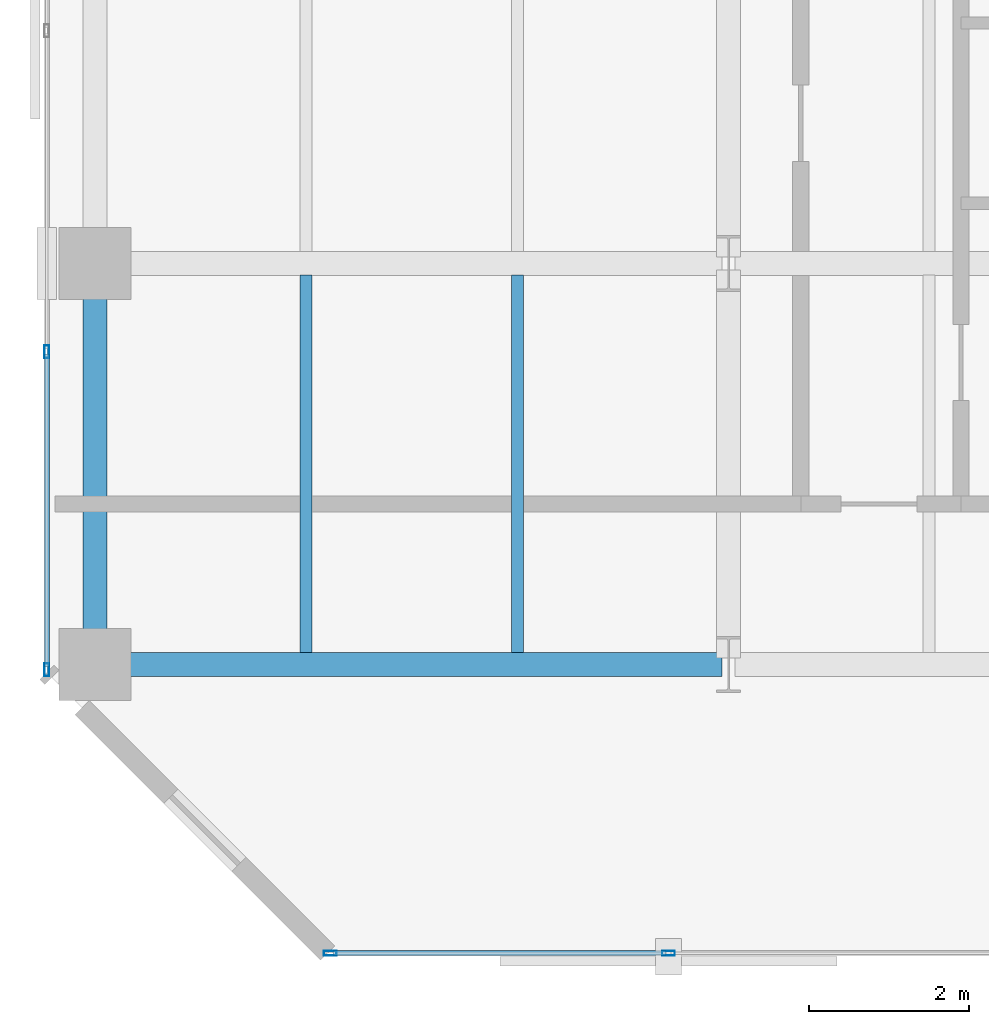
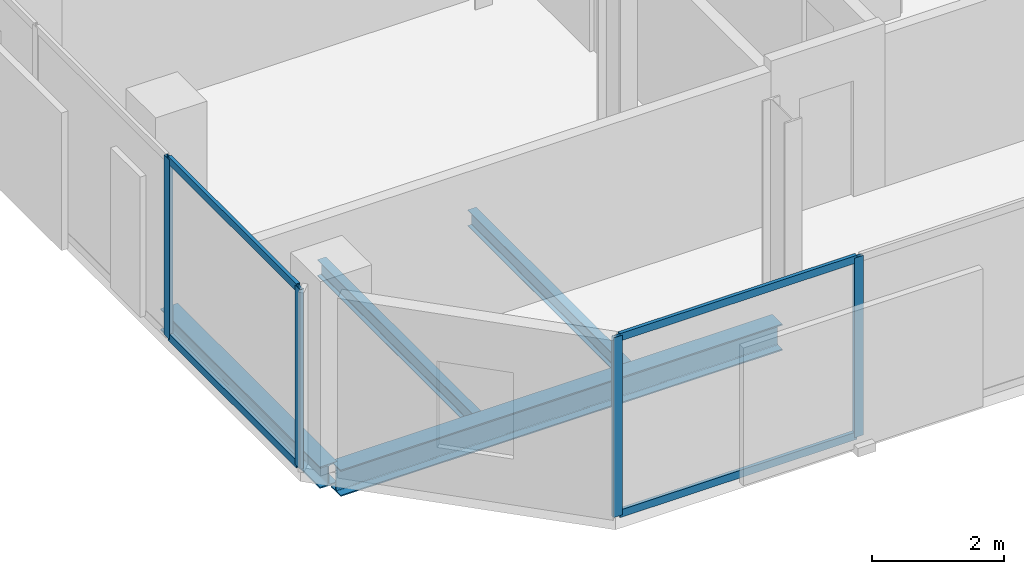
# One storey, part 3 of 35: 8 members, 4 beams, 2 elements without a shape of their own.
"""IFC4 building model written with IfcOpenShell, lengths in metres."""

from ifc_helpers import new_model, si_unit, direction, frame, origin, origin_2d, place, context, subcontext, project, spatial, hollow_rectangle, i_section, extrude, material, layer, layer_set, material_profile, profile_set, type_object, element, aggregate, save


model = new_model("IFC4")

# Units and contexts
model_context = context("Model", 3, precision=1e-05, world=origin(), true_north=direction((0.0, 1.0)))
body_context = subcontext(model_context, "Body", "Model", "MODEL_VIEW")
ifc_project = project(units=[si_unit("LENGTHUNIT", "METRE"), si_unit("AREAUNIT", "SQUARE_METRE"), si_unit("VOLUMEUNIT", "CUBIC_METRE"), si_unit("PLANEANGLEUNIT", "RADIAN"), si_unit("MASSUNIT", "GRAM", prefix="KILO")], contexts=[model_context])

# Site, building, storey
site_placement = place(None, origin())
site = spatial("IfcSite", under=ifc_project, at=site_placement, CompositionType="ELEMENT")
building_placement = place(site_placement, origin())
building = spatial("IfcBuilding", under=site, at=building_placement, Name="Catumbela Crestline Tower", CompositionType="ELEMENT")
storey_placement = place(building_placement, frame((0.0, 0.0, 90.0)))
storey = spatial("IfcBuildingStorey", under=building, at=storey_placement, Name="L22", CompositionType="ELEMENT", Elevation=90.0)

# Beams
ifc_material_1 = material(Name="Structural steel S355J2", Category="steel")
ifc_material_profile_1 = material_profile(ifc_material_1, i_section(OverallWidth=0.3, OverallDepth=0.49, WebThickness=0.012, FlangeThickness=0.023, FilletRadius=0.027, at=origin_2d()), Name="HEA 500")
ifc_profile_set_1 = profile_set([ifc_material_profile_1], Name="Structural steel S355J2")
beam_type_1 = type_object("IfcBeamType", Name="BG-HEA500", PredefinedType="BEAM", material=ifc_profile_set_1)
beam_1_placement = place(storey_placement, frame((0.68, 8.6, -0.505), z_axis=(1.0, 0.0, 0.0), x_axis=(0.0, 1.0, 0.0)))
element("IfcBeam", 1, at=beam_1_placement, inside=storey, type_object=beam_type_1, Name="L22 Beam BM-L22-WEW43", PredefinedType="BEAM", context=body_context, shape_type="SweptSolid", body=[
    extrude(i_section(OverallWidth=0.3, OverallDepth=0.49, WebThickness=0.012, FlangeThickness=0.023, FilletRadius=0.027, at=origin_2d()), origin(), (0.0, 0.0, 1.0), 7.74),
])
ifc_material_profile_2 = material_profile(ifc_material_1, i_section(OverallWidth=0.15, OverallDepth=0.3, WebThickness=0.0071, FlangeThickness=0.0107, FilletRadius=0.015, at=origin_2d()), Name="IPE 300")
ifc_profile_set_2 = profile_set([ifc_material_profile_2], Name="Structural steel S355J2")
beam_type_2 = type_object("IfcBeamType", Name="BJ-IPE300", PredefinedType="JOIST", material=ifc_profile_set_2)
for number, where, z_axis, x_axis, name in (
    (2, (3.233, 8.747, -0.41), (0.0, 1.0, 0.0), (-1.0, 0.0, 0.0), "L22 Joist JS-L22-WG63"),
    (3, (5.867, 8.747, -0.41), (0.0, 1.0, 0.0), (-1.0, 0.0, 0.0), "L22 Joist JS-L22-WG64"),
):
    element("IfcBeam", number, at=place(storey_placement, frame(where, z_axis=z_axis, x_axis=x_axis)), inside=storey, type_object=beam_type_2, Name=name, PredefinedType="JOIST", context=body_context, shape_type="SweptSolid", body=[
        extrude(i_section(OverallWidth=0.15, OverallDepth=0.3, WebThickness=0.0071, FlangeThickness=0.0107, FilletRadius=0.015, at=origin_2d()), origin(), (0.0, 0.0, 1.0), 4.706),
    ])

# Curtain wall, members
ifc_material_2 = material(Name="Aluminium alloy AW-6060-T66", Category="aluminium")
ifc_layer = layer(ifc_material_2, 0.18, Name="Aluminium alloy AW-6060-T66")
ifc_layer_set = layer_set([ifc_layer], Name="Aluminium alloy AW-6060-T66")
curtain_wall_type = type_object("IfcCurtainWallType", Name="CWU-Z2", PredefinedType="USERDEFINED", material=ifc_layer_set)
curtain_wall_1_placement = place(storey_placement, origin())
curtain_wall_1 = element("IfcCurtainWall", 4, at=curtain_wall_1_placement, inside=storey, type_object=curtain_wall_type, Name="L22 Unitised Curtain Wall CW-L22-E0S1", ObjectType="UNITISED", PredefinedType="USERDEFINED")
ifc_material_profile_3 = material_profile(ifc_material_2, hollow_rectangle(XDim=0.06, YDim=0.16, WallThickness=0.004, at=origin_2d()), Name="ALU 160x60x4")
ifc_profile_set_3 = profile_set([ifc_material_profile_3], Name="Aluminium alloy AW-6060-T66")
member_type_1 = type_object("IfcMemberType", Name="MUL-160X60", PredefinedType="MULLION", material=ifc_profile_set_3)
member_1_placement = place(storey_placement, frame((3.5325, 5.0, 0.0), z_axis=(0.0, 0.0, 1.0), x_axis=(0.0, 1.0, 0.0)))
member_1 = element("IfcMember", 5, at=member_1_placement, type_object=member_type_1, Name="CWU-Z2 mullion 1", PredefinedType="MULLION", context=body_context, shape_type="SweptSolid", body=[
    extrude(hollow_rectangle(XDim=0.06, YDim=0.16, WallThickness=0.004, at=origin_2d()), origin(), (0.0, 0.0, 1.0), 3.33),
])
member_2_placement = place(storey_placement, frame((7.75, 5.0, 0.0), z_axis=(0.0, 0.0, 1.0), x_axis=(0.0, 1.0, 0.0)))
member_2 = element("IfcMember", 6, at=member_2_placement, type_object=member_type_1, Name="CWU-Z2 mullion 2", PredefinedType="MULLION", context=body_context, shape_type="SweptSolid", body=[
    extrude(hollow_rectangle(XDim=0.06, YDim=0.16, WallThickness=0.004, at=origin_2d()), origin(), (0.0, 0.0, 1.0), 3.33),
])

curtain_wall_2_placement = place(storey_placement, origin())
curtain_wall_2 = element("IfcCurtainWall", 7, at=curtain_wall_2_placement, inside=storey, type_object=curtain_wall_type, Name="L22 Unitised Curtain Wall CW-L22-E9S1", ObjectType="UNITISED", PredefinedType="USERDEFINED")
member_3_placement = place(storey_placement, frame((0.0, 12.5, 0.0), z_axis=(0.0, 0.0, 1.0), x_axis=(1.0, 0.0, 0.0)))
member_3 = element("IfcMember", 8, at=member_3_placement, type_object=member_type_1, Name="CWU-Z2 mullion 9", PredefinedType="MULLION", context=body_context, shape_type="SweptSolid", body=[
    extrude(hollow_rectangle(XDim=0.06, YDim=0.16, WallThickness=0.004, at=origin_2d()), origin(), (0.0, 0.0, 1.0), 3.33),
])
member_4_placement = place(storey_placement, frame((0.0, 8.5325, 0.0), z_axis=(0.0, 0.0, 1.0), x_axis=(1.0, 0.0, 0.0)))
member_4 = element("IfcMember", 9, at=member_4_placement, type_object=member_type_1, Name="CWU-Z2 mullion 10", PredefinedType="MULLION", context=body_context, shape_type="SweptSolid", body=[
    extrude(hollow_rectangle(XDim=0.06, YDim=0.16, WallThickness=0.004, at=origin_2d()), origin(), (0.0, 0.0, 1.0), 3.33),
])

# Beam
ifc_material_profile_4 = material_profile(ifc_material_1, i_section(OverallWidth=0.3, OverallDepth=0.4, WebThickness=0.0135, FlangeThickness=0.024, FilletRadius=0.027, at=origin_2d()), Name="HEB 400")
ifc_profile_set_4 = profile_set([ifc_material_profile_4], Name="Structural steel S355J2")
beam_type_3 = type_object("IfcBeamType", Name="BS-HEB400", PredefinedType="SPANDREL", material=ifc_profile_set_4)
beam_2_placement = place(storey_placement, frame((0.6, 8.68, -0.46), z_axis=(0.0, 1.0, 0.0), x_axis=(-1.0, 0.0, 0.0)))
element("IfcBeam", 10, at=beam_2_placement, inside=storey, type_object=beam_type_3, Name="L22 Spandrel SP-L22-WNS52", PredefinedType="SPANDREL", context=body_context, shape_type="SweptSolid", body=[
    extrude(i_section(OverallWidth=0.3, OverallDepth=0.4, WebThickness=0.0135, FlangeThickness=0.024, FilletRadius=0.027, at=origin_2d()), origin(), (0.0, 0.0, 1.0), 4.84),
])

# Member
ifc_material_profile_5 = material_profile(ifc_material_2, hollow_rectangle(XDim=0.06, YDim=0.14, WallThickness=0.004, at=origin_2d()), Name="ALU 140x60x4")
ifc_profile_set_5 = profile_set([ifc_material_profile_5], Name="Aluminium alloy AW-6060-T66")
member_type_2 = type_object("IfcMemberType", Name="TRN-140X60", PredefinedType="USERDEFINED", material=ifc_profile_set_5)
member_5_placement = place(storey_placement, frame((3.565, 5.0, 0.03), z_axis=(1.0, 0.0, 0.0), x_axis=(0.0, 1.0, 0.0)))
member_5 = element("IfcMember", 11, at=member_5_placement, type_object=member_type_2, Name="CWU-Z2 transom 1.1", ObjectType="TRANSOM", PredefinedType="USERDEFINED", context=body_context, shape_type="SweptSolid", body=[
    extrude(hollow_rectangle(XDim=0.06, YDim=0.14, WallThickness=0.004, at=origin_2d()), origin(), (0.0, 0.0, 1.0), 4.1525),
])

member_6_placement = place(storey_placement, frame((3.565, 5.0, 3.3), z_axis=(1.0, 0.0, 0.0), x_axis=(0.0, 1.0, 0.0)))
member_6 = element("IfcMember", 12, at=member_6_placement, type_object=member_type_2, Name="CWU-Z2 transom 1.2", ObjectType="TRANSOM", PredefinedType="USERDEFINED", context=body_context, shape_type="SweptSolid", body=[
    extrude(hollow_rectangle(XDim=0.06, YDim=0.14, WallThickness=0.004, at=origin_2d()), origin(), (0.0, 0.0, 1.0), 4.1525),
])

aggregate(curtain_wall_1, [member_1, member_2, member_5, member_6])

member_7_placement = place(storey_placement, frame((0.0, 12.4675, 0.03), z_axis=(0.0, -1.0, 0.0), x_axis=(1.0, 0.0, 0.0)))
member_7 = element("IfcMember", 13, at=member_7_placement, type_object=member_type_2, Name="CWU-Z2 transom 9.1", ObjectType="TRANSOM", PredefinedType="USERDEFINED", context=body_context, shape_type="SweptSolid", body=[
    extrude(hollow_rectangle(XDim=0.06, YDim=0.14, WallThickness=0.004, at=origin_2d()), origin(), (0.0, 0.0, 1.0), 3.9025),
])

member_8_placement = place(storey_placement, frame((0.0, 12.4675, 3.3), z_axis=(0.0, -1.0, 0.0), x_axis=(1.0, 0.0, 0.0)))
member_8 = element("IfcMember", 14, at=member_8_placement, type_object=member_type_2, Name="CWU-Z2 transom 9.2", ObjectType="TRANSOM", PredefinedType="USERDEFINED", context=body_context, shape_type="SweptSolid", body=[
    extrude(hollow_rectangle(XDim=0.06, YDim=0.14, WallThickness=0.004, at=origin_2d()), origin(), (0.0, 0.0, 1.0), 3.9025),
])

aggregate(curtain_wall_2, [member_3, member_4, member_7, member_8])

save(model, "model.ifc")
